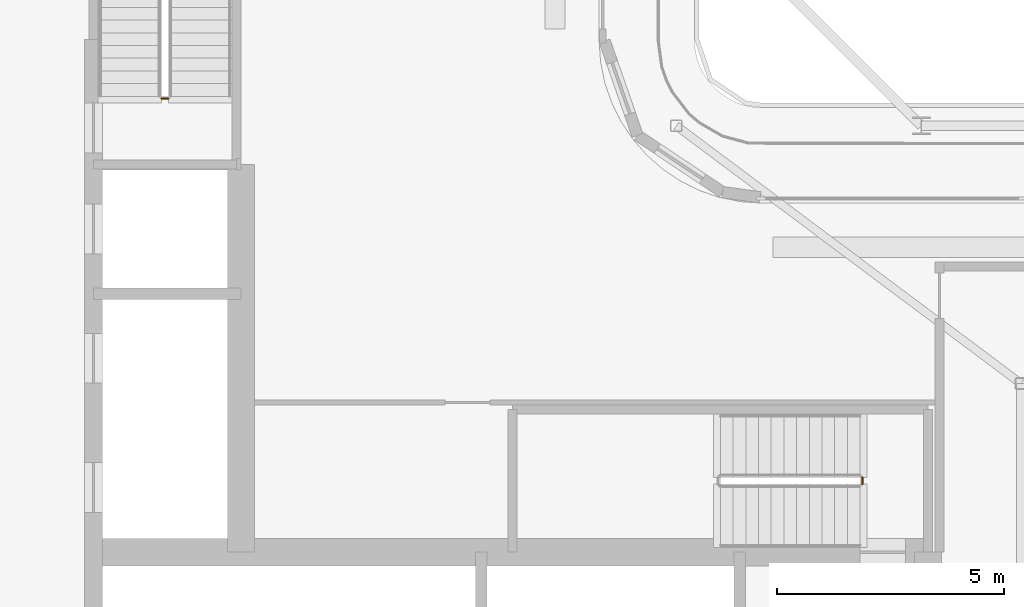
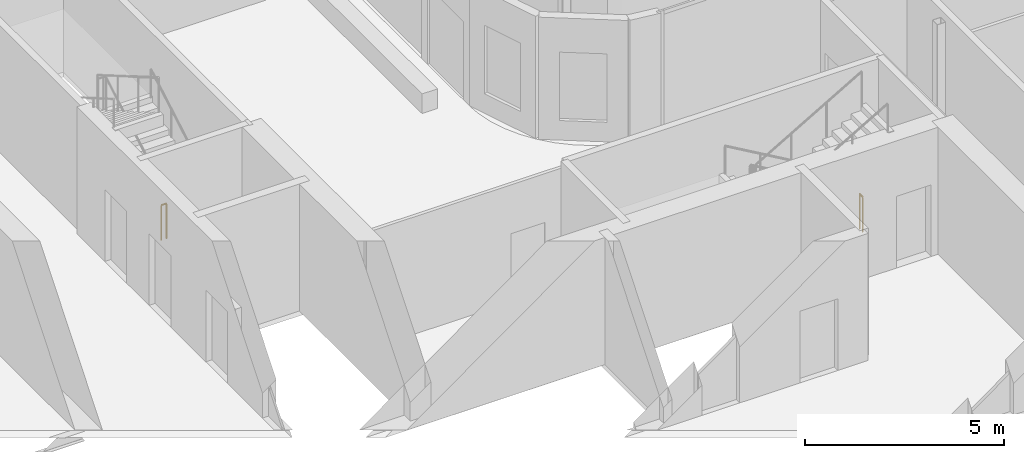
# One storey, part 17 of 21: 2 railings.
"""IFC4 building model written with IfcOpenShell, lengths in metres."""

from ifc_helpers import new_model, si_unit, direction, frame, origin, origin_2d, place, context, subcontext, project, spatial, circle, extrude, material, type_object, element, save


model = new_model("IFC4")

# Units and contexts
model_context = context("Model", 3, precision=1e-05, world=origin(), true_north=direction((0.0, 1.0)))
body_context = subcontext(model_context, "Body", "Model", "MODEL_VIEW")
ifc_project = project(units=[si_unit("LENGTHUNIT", "METRE"), si_unit("AREAUNIT", "SQUARE_METRE"), si_unit("VOLUMEUNIT", "CUBIC_METRE"), si_unit("PLANEANGLEUNIT", "RADIAN"), si_unit("MASSUNIT", "GRAM", prefix="KILO")], contexts=[model_context])

# Site, building, storey
site_placement = place(None, origin())
site = spatial("IfcSite", under=ifc_project, at=site_placement, CompositionType="ELEMENT")
building_placement = place(site_placement, origin())
building = spatial("IfcBuilding", under=site, at=building_placement, Name="Kheshtan School and Residences Tower", CompositionType="ELEMENT")
storey_placement = place(building_placement, frame((0.0, 0.0, 282.5)))
storey = spatial("IfcBuildingStorey", under=building, at=storey_placement, Name="L66", CompositionType="ELEMENT", Elevation=282.5)

# Railings
ifc_material = material(Name="Stainless steel balustrade", Category="steel")
railing_type = type_object("IfcRailingType", Name="Stair guard 1100", PredefinedType="GUARDRAIL", material=ifc_material)
railing_1_placement = place(storey_placement, frame((51.699951171875, 37.85009765625, 0.0)))
element("IfcRailing", 1, at=railing_1_placement, inside=storey, type_object=railing_type, Name="L66 ST1 stair guard 2", PredefinedType="GUARDRAIL", context=body_context, shape_type="SweptSolid", body=[
    extrude(circle(Radius=0.02392578125, at=origin_2d()), frame((0.0, 0.0, 1.076171875), z_axis=(0.0, -1.0, 0.0), x_axis=(1.0, 0.0, 0.0)), (0.0, 0.0, 1.0), 0.150146484375),
    extrude(circle(Radius=0.02099609375, at=origin_2d()), origin(), (0.0, 0.0, 1.0), 1.052001953125),
    extrude(circle(Radius=0.02099609375, at=origin_2d()), frame((0.0, -0.150146484375, 0.0)), (0.0, 0.0, 1.0), 1.052001953125),
])
railing_2_placement = place(storey_placement, frame((36.39990234375, 46.199951171875, 0.0)))
element("IfcRailing", 2, at=railing_2_placement, inside=storey, type_object=railing_type, Name="L66 ST2 stair guard 2", PredefinedType="GUARDRAIL", context=body_context, shape_type="SweptSolid", body=[
    extrude(circle(Radius=0.02392578125, at=origin_2d()), frame((0.0, 0.0, 1.076171875), z_axis=(-1.0, 0.0, 0.0), x_axis=(0.0, -1.0, 0.0)), (0.0, 0.0, 1.0), 0.14990234375),
    extrude(circle(Radius=0.02099609375, at=origin_2d()), origin(), (0.0, 0.0, 1.0), 1.052001953125),
    extrude(circle(Radius=0.02099609375, at=origin_2d()), frame((-0.14990234375, 0.0, 0.0)), (0.0, 0.0, 1.0), 1.052001953125),
])

save(model, "model.ifc")
